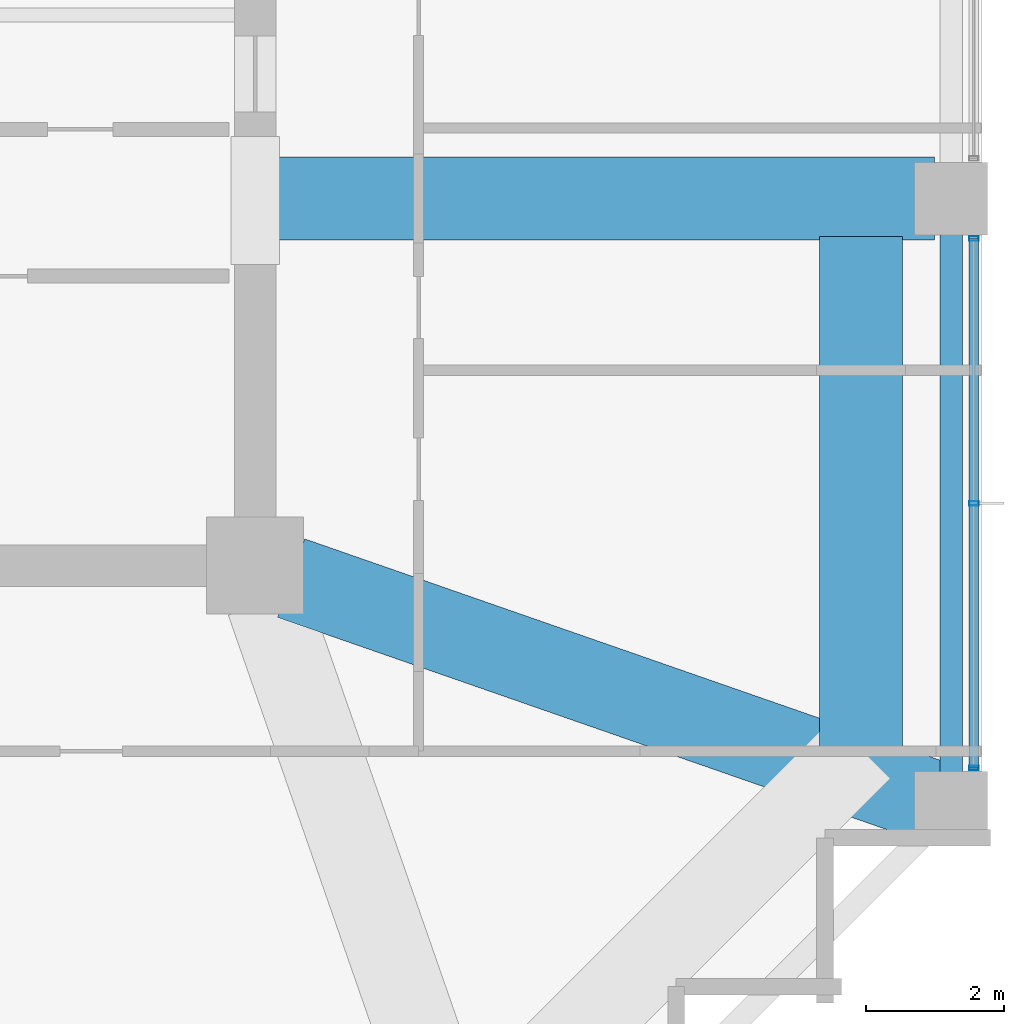
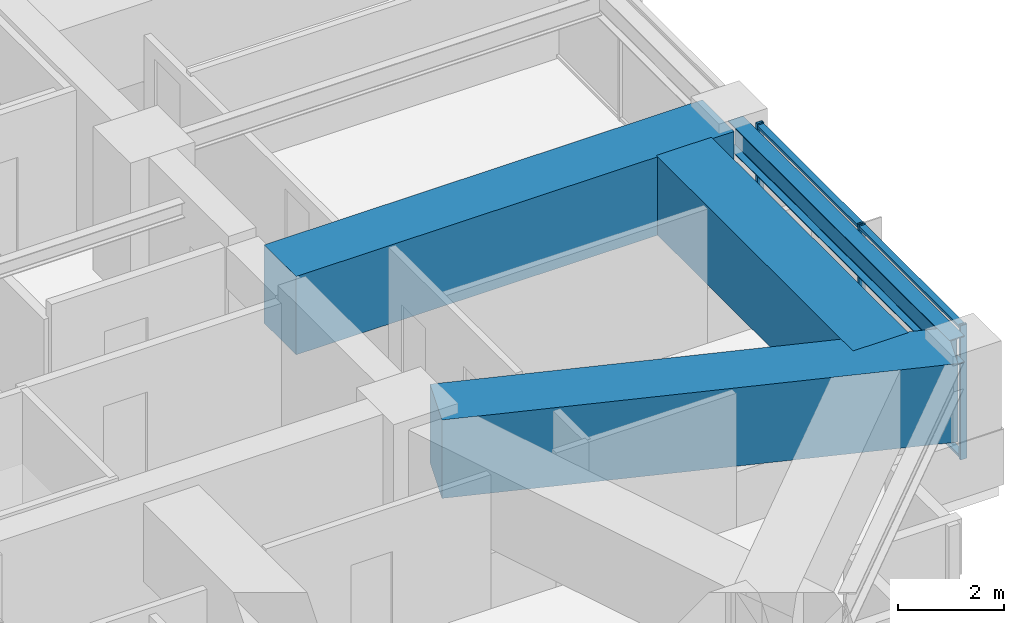
# One storey, part 14 of 34: 5 members, 4 beams, 1 element without a shape of its own.
"""IFC4 building model written with IfcOpenShell, lengths in metres."""

from ifc_helpers import new_model, si_unit, direction, frame, origin, origin_2d, place, context, subcontext, project, spatial, rectangle, hollow_rectangle, i_section, extrude, material, material_profile, profile_set, type_object, element, aggregate, save


model = new_model("IFC4")

# Units and contexts
model_context = context("Model", 3, precision=1e-05, world=origin(), true_north=direction((0.0, 1.0)))
body_context = subcontext(model_context, "Body", "Model", "MODEL_VIEW")
ifc_project = project(units=[si_unit("LENGTHUNIT", "METRE"), si_unit("AREAUNIT", "SQUARE_METRE"), si_unit("VOLUMEUNIT", "CUBIC_METRE"), si_unit("PLANEANGLEUNIT", "RADIAN"), si_unit("MASSUNIT", "GRAM", prefix="KILO")], contexts=[model_context])

# Site, building, storey
site_placement = place(None, origin())
site = spatial("IfcSite", under=ifc_project, at=site_placement, CompositionType="ELEMENT")
building_placement = place(site_placement, origin())
building = spatial("IfcBuilding", under=site, at=building_placement, Name="Kolvaren Belvedere", CompositionType="ELEMENT")
storey_placement = place(building_placement, frame((0.0, 0.0, 105.199951171875)))
storey = spatial("IfcBuildingStorey", under=building, at=storey_placement, Name="L30", CompositionType="ELEMENT", Elevation=105.199951171875)

# Beams
ifc_material_1 = material(Name="Structural steel ASTM A992 Grade 50", Category="steel")
ifc_material_profile_1 = material_profile(ifc_material_1, i_section(OverallWidth=0.324951171875, OverallDepth=0.615966796875, WebThickness=0.013916015625, FlangeThickness=0.021484375, FilletRadius=0.02001953125, at=origin_2d()), Name="W24X117")
ifc_profile_set_1 = profile_set([ifc_material_profile_1], Name="Structural steel ASTM A992 Grade 50")
beam_type_1 = type_object("IfcBeamType", Name="BM-SPAN-W24X117", PredefinedType="SPANDREL", material=ifc_profile_set_1)
beam_1_placement = place(storey_placement, frame((19.949951171875, -13.163818359375, 2.77197265625), z_axis=(0.0, 1.0, 0.0), x_axis=(-1.0, 0.0, 0.0)))
element("IfcBeam", 1, at=beam_1_placement, inside=storey, type_object=beam_type_1, Name="L30 Perimeter Spandrel E1-E2", PredefinedType="SPANDREL", context=body_context, shape_type="SweptSolid", body=[
    extrude(i_section(OverallWidth=0.324951171875, OverallDepth=0.615966796875, WebThickness=0.013916015625, FlangeThickness=0.021484375, FilletRadius=0.02001953125, at=origin_2d()), origin(), (0.0, 0.0, 1.0), 8.32763671875),
])
ifc_material_2 = material(Name="Concrete C50/60", Category="concrete")
ifc_material_profile_2 = material_profile(ifc_material_2, rectangle(XDim=1.199951171875, YDim=1.800048828125, at=origin_2d()), Name="RC 1200X1800")
ifc_profile_set_2 = profile_set([ifc_material_profile_2], Name="Concrete C50/60")
beam_type_2 = type_object("IfcBeamType", Name="BM-TG-1800", PredefinedType="BEAM", material=ifc_profile_set_2)
beam_2_placement = place(storey_placement, frame((18.64990234375, -12.550048828125, 2.179931640625), z_axis=(0.0, 1.0, 0.0), x_axis=(-1.0, 0.0, 0.0)))
element("IfcBeam", 2, at=beam_2_placement, inside=storey, type_object=beam_type_2, Name="L30 Step Transfer Ring Girder E1-E2", PredefinedType="BEAM", context=body_context, shape_type="SweptSolid", body=[
    extrude(rectangle(XDim=1.199951171875, YDim=1.800048828125, at=origin_2d()), origin(), (0.0, 0.0, 1.0), 7.400146484375),
])
beam_3_placement = place(storey_placement, frame((10.199951171875, -4.60009765625, 2.179931640625), z_axis=(1.0, 0.0, 0.0), x_axis=(0.0, 1.0, 0.0)))
element("IfcBeam", 3, at=beam_3_placement, inside=storey, type_object=beam_type_2, Name="L30 East Radial Girder M", PredefinedType="BEAM", context=body_context, shape_type="SweptSolid", body=[
    extrude(rectangle(XDim=1.199951171875, YDim=1.800048828125, at=origin_2d()), origin(), (0.0, 0.0, 1.0), 9.513916015625),
])
beam_4_placement = place(storey_placement, frame((10.41943359375, -10.080810546875, 2.179931640625), z_axis=(0.944371408538, -0.328880894453, 0.0), x_axis=(0.328880894453, 0.944371408538, 0.0)))
element("IfcBeam", 4, at=beam_4_placement, inside=storey, type_object=beam_type_2, Name="L30 Corner Core-to-Perimeter Girder CC2-E1", PredefinedType="BEAM", context=body_context, shape_type="SweptSolid", body=[
    extrude(rectangle(XDim=1.199951171875, YDim=1.800048828125, at=origin_2d()), origin(), (0.0, 0.0, 1.0), 9.882080078125),
])

# Curtain wall, members
ifc_material_3 = material(Name="Anodised pale-metal aluminium AA 6063-T6", Category="aluminium")
curtain_wall_type = type_object("IfcCurtainWallType", Name="CW-Z2-MID", PredefinedType="NOTDEFINED", material=ifc_material_3)
curtain_wall_placement = place(storey_placement, origin())
curtain_wall = element("IfcCurtainWall", 5, at=curtain_wall_placement, inside=storey, type_object=curtain_wall_type, Name="L30 Unitised Curtain Wall FCW-L30-E-B3", PredefinedType="NOTDEFINED")
ifc_material_4 = material(Name="Anodised pale-metal aluminium AA 6063-T6", Category="aluminium")
ifc_material_profile_3 = material_profile(ifc_material_4, hollow_rectangle(XDim=0.06494140625, YDim=0.139892578125, WallThickness=0.00390625, at=origin_2d()), Name="ALU-MUL-140X65")
ifc_profile_set_3 = profile_set([ifc_material_profile_3], Name="Anodised pale-metal aluminium AA 6063-T6")
member_type_1 = type_object("IfcMemberType", Name="CW-MUL-140", PredefinedType="MULLION", material=ifc_profile_set_3)
member_1_placement = place(storey_placement, frame((20.280029296875, -5.177490234375, 0.0), z_axis=(0.0, 0.0, 1.0), x_axis=(0.0, 1.0, 0.0)))
member_1 = element("IfcMember", 6, at=member_1_placement, type_object=member_type_1, Name="FCW-L30-E-B3 Unitised Mullion 1", PredefinedType="MULLION", context=body_context, shape_type="SweptSolid", body=[
    extrude(hollow_rectangle(XDim=0.06494140625, YDim=0.139892578125, WallThickness=0.00390625, at=origin_2d()), origin(), (0.0, 0.0, 1.0), 3.080078125),
])
member_2_placement = place(storey_placement, frame((20.280029296875, -9.0, 0.0), z_axis=(0.0, 0.0, 1.0), x_axis=(0.0, 1.0, 0.0)))
member_2 = element("IfcMember", 7, at=member_2_placement, type_object=member_type_1, Name="FCW-L30-E-B3 Unitised Mullion 2", PredefinedType="MULLION", context=body_context, shape_type="SweptSolid", body=[
    extrude(hollow_rectangle(XDim=0.06494140625, YDim=0.139892578125, WallThickness=0.00390625, at=origin_2d()), origin(), (0.0, 0.0, 1.0), 3.080078125),
])
member_3_placement = place(storey_placement, frame((20.280029296875, -12.822509765625, 0.0), z_axis=(0.0, 0.0, 1.0), x_axis=(0.0, 1.0, 0.0)))
member_3 = element("IfcMember", 8, at=member_3_placement, type_object=member_type_1, Name="FCW-L30-E-B3 Unitised Mullion 3", PredefinedType="MULLION", context=body_context, shape_type="SweptSolid", body=[
    extrude(hollow_rectangle(XDim=0.06494140625, YDim=0.139892578125, WallThickness=0.00390625, at=origin_2d()), origin(), (0.0, 0.0, 1.0), 3.080078125),
])
ifc_material_5 = material(Name="Anodised pale-metal aluminium AA 6063-T6", Category="aluminium")
ifc_material_profile_4 = material_profile(ifc_material_5, hollow_rectangle(XDim=0.06005859375, YDim=0.139892578125, WallThickness=0.00390625, at=origin_2d()), Name="ALU-TRN-140X60")
ifc_profile_set_4 = profile_set([ifc_material_profile_4], Name="Anodised pale-metal aluminium AA 6063-T6")
member_type_2 = type_object("IfcMemberType", Name="CW-TRN-140", PredefinedType="USERDEFINED", material=ifc_profile_set_4)
member_4_placement = place(storey_placement, frame((20.280029296875, -5.177490234375, 0.06005859375), z_axis=(0.0, -1.0, 0.0), x_axis=(0.0, 0.0, 1.0)))
member_4 = element("IfcMember", 9, at=member_4_placement, type_object=member_type_2, Name="FCW-L30-E-B3 Sill Transom", ObjectType="TRANSOM", PredefinedType="USERDEFINED", context=body_context, shape_type="SweptSolid", body=[
    extrude(hollow_rectangle(XDim=0.06005859375, YDim=0.139892578125, WallThickness=0.00390625, at=origin_2d()), origin(), (0.0, 0.0, 1.0), 7.64501953125),
])
member_5_placement = place(storey_placement, frame((20.280029296875, -5.177490234375, 3.02001953125), z_axis=(0.0, -1.0, 0.0), x_axis=(0.0, 0.0, 1.0)))
member_5 = element("IfcMember", 10, at=member_5_placement, type_object=member_type_2, Name="FCW-L30-E-B3 Head Transom", ObjectType="TRANSOM", PredefinedType="USERDEFINED", context=body_context, shape_type="SweptSolid", body=[
    extrude(hollow_rectangle(XDim=0.06005859375, YDim=0.139892578125, WallThickness=0.00390625, at=origin_2d()), origin(), (0.0, 0.0, 1.0), 7.64501953125),
])
aggregate(curtain_wall, [member_1, member_2, member_3, member_4, member_5])

save(model, "model.ifc")
